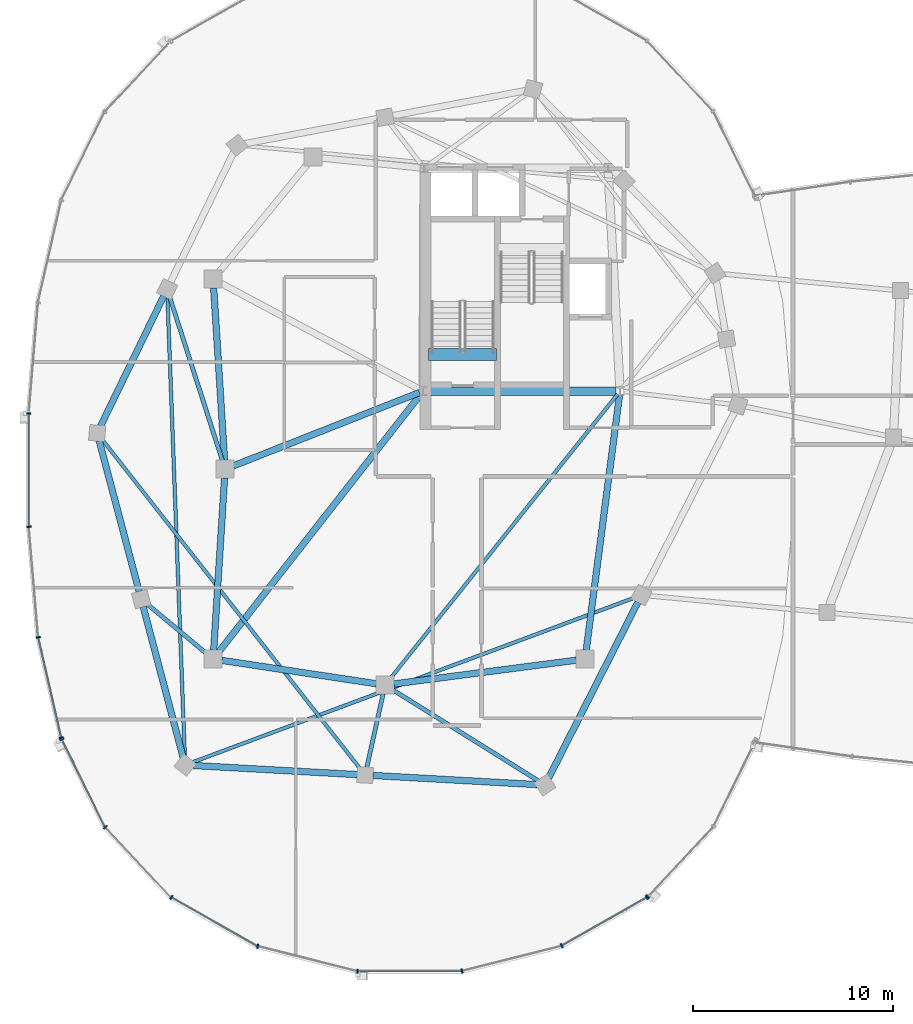
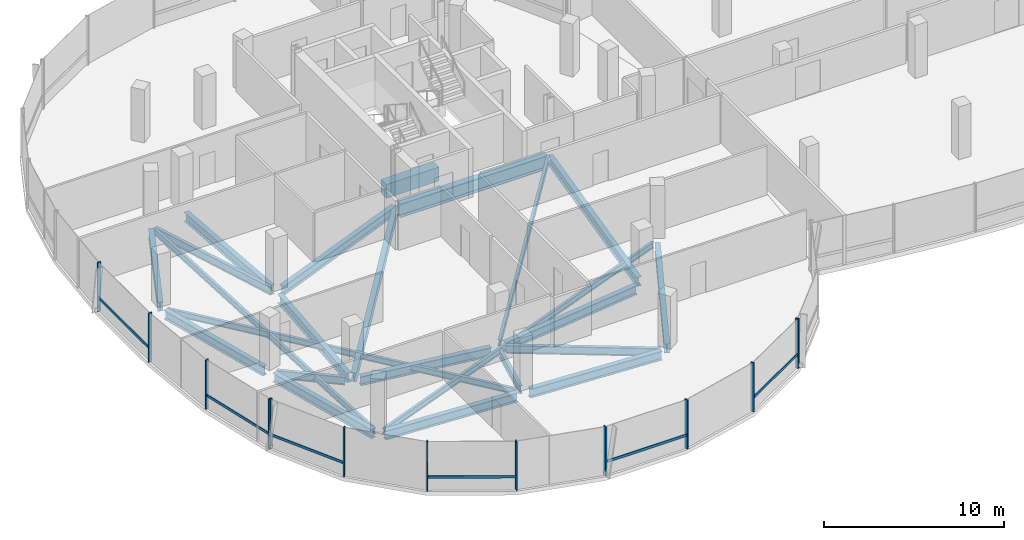
# One storey, part 3 of 25: 23 beams, 19 members, 3 elements without a shape of their own.
"""IFC4 building model written with IfcOpenShell, lengths in metres."""

import ifcopenshell
import ifcopenshell.guid

model = None  # the IFC model being written
_history = None  # IfcOwnerHistory: only IFC2X3 demands one
_inside = {}  # id of a spatial element -> (the spatial element, [elements in it])
_under = {}  # id of a project, library or spatial element -> (it, [spatial elements below it])
_declared = {}  # id of a project -> (the project, [libraries it declares])
_typed = {}  # id of a type object -> (the type object, [elements of that type])
_made_of = {}  # id of a material, layer set ... -> (it, [elements and type objects made of it])


def new_model(schema):
    """Start an empty IFC model of exactly this schema.

    Asked for "IFC4X3", IfcOpenShell would pick the latest addendum, in which some entities
    have other attributes; the version numbers below select the first issue.
    IFC2X3 requires an IfcOwnerHistory on every rooted entity: one is made here for all.
    """
    global model, _history
    if schema == "IFC4X3":
        model = ifcopenshell.file(schema_version=(4, 3, 0, 0))
    else:
        model = ifcopenshell.file(schema=schema)
    _inside.clear()
    _under.clear()
    _declared.clear()
    _typed.clear()
    _made_of.clear()
    _history = None
    if model.schema == "IFC2X3":
        org = make("IfcOrganization", Name="unknown")
        user = make(
            "IfcPersonAndOrganization",
            ThePerson=make("IfcPerson", FamilyName="unknown"),
            TheOrganization=org,
        )
        app = make(
            "IfcApplication",
            ApplicationDeveloper=org,
            Version="unknown",
            ApplicationFullName="unknown",
            ApplicationIdentifier="unknown",
        )
        _history = make(
            "IfcOwnerHistory",
            OwningUser=user,
            OwningApplication=app,
            ChangeAction="ADDED",
            CreationDate=0,
        )
    return model


def make(cls, **values):
    """One entity of the class cls with the attributes given. An attribute that is None is left unset."""
    return model.create_entity(
        cls, **{name: value for name, value in values.items() if value is not None}
    )


def rooted(cls, **values):
    """An entity with a GlobalId (a new one), such as an element, a storey or a relation."""
    return make(cls, GlobalId=ifcopenshell.guid.new(), OwnerHistory=_history, **values)


def si_unit(unit_type, name, prefix=None):
    """IfcSIUnit, for example si_unit("LENGTHUNIT", "METRE", prefix="MILLI")."""
    return make("IfcSIUnit", UnitType=unit_type, Prefix=prefix, Name=name)


def assignment(units):
    """IfcUnitAssignment: the units of a project."""
    return None if units is None else make("IfcUnitAssignment", Units=units)


def point(xyz):
    """IfcCartesianPoint."""
    return None if xyz is None else make("IfcCartesianPoint", Coordinates=xyz)


def direction(xyz):
    """IfcDirection."""
    return None if xyz is None else make("IfcDirection", DirectionRatios=xyz)


def frame(location, z_axis=None, x_axis=None):
    """IfcAxis2Placement3D, a coordinate frame: its origin and axes. An axis left out is left unset."""
    return make(
        "IfcAxis2Placement3D",
        Location=point(location),
        Axis=direction(z_axis),
        RefDirection=direction(x_axis),
    )


def frame_2d(location, x_axis=None):
    """IfcAxis2Placement2D, a coordinate frame in the plane: its origin and x axis."""
    return make(
        "IfcAxis2Placement2D", Location=point(location), RefDirection=direction(x_axis)
    )


def origin():
    """The frame at (0, 0, 0) with its axes left unset."""
    return frame((0.0, 0.0, 0.0))


def origin_2d():
    """The frame at (0, 0) in the plane with its x axis left unset."""
    return frame_2d((0.0, 0.0))


def place(relative_to, where):
    """IfcLocalPlacement: puts the frame where relative to a parent placement (None: the world)."""
    return make(
        "IfcLocalPlacement", PlacementRelTo=relative_to, RelativePlacement=where
    )


def context(
    kind, dimensions, precision=None, world=None, true_north=None, identifier=None
):
    """IfcGeometricRepresentationContext, for example the 3D "Model" context."""
    return make(
        "IfcGeometricRepresentationContext",
        ContextIdentifier=identifier,
        ContextType=kind,
        CoordinateSpaceDimension=dimensions,
        Precision=precision,
        WorldCoordinateSystem=world,
        TrueNorth=true_north,
    )


def subcontext(parent, identifier, kind, view, scale=None):
    """IfcGeometricRepresentationSubContext, for example "Body" below "Model"."""
    return make(
        "IfcGeometricRepresentationSubContext",
        ContextIdentifier=identifier,
        ContextType=kind,
        ParentContext=parent,
        TargetScale=scale,
        TargetView=view,
    )


def project(units=None, contexts=None):
    """IfcProject with its units and contexts."""
    return rooted(
        "IfcProject",
        Name="project",
        RepresentationContexts=contexts,
        UnitsInContext=assignment(units),
    )


def spatial(cls, under=None, at=None, **own):
    """A site, building, storey or space (cls), placed at a placement, below another one or the project."""
    s = rooted(cls, ObjectPlacement=at, **own)
    if under is not None:
        _under.setdefault(under.id(), (under, []))[1].append(s)
    return s


def profile(cls, at=None, kind="AREA", **sizes):
    """A parametric profile (cls). Its sizes go by their IFC names, for example OverallWidth=200.0."""
    return make(cls, ProfileType=kind, Position=at, **sizes)


def rectangle(**sizes):
    """IfcRectangleProfileDef."""
    return profile("IfcRectangleProfileDef", **sizes)


def i_section(**sizes):
    """IfcIShapeProfileDef."""
    return profile("IfcIShapeProfileDef", **sizes)


def extrude(swept, where, along, depth):
    """IfcExtrudedAreaSolid: the profile swept, set in the frame where, extruded along a direction by depth."""
    return make(
        "IfcExtrudedAreaSolid",
        SweptArea=swept,
        Position=where,
        ExtrudedDirection=direction(along),
        Depth=depth,
    )


def shape(context_of_items, identifier, shape_type, items):
    """IfcShapeRepresentation: the items that make up one representation, for example the "Body"."""
    return make(
        "IfcShapeRepresentation",
        ContextOfItems=context_of_items,
        RepresentationIdentifier=identifier,
        RepresentationType=shape_type,
        Items=items,
    )


def material(Name=None, Category=None):
    """IfcMaterial."""
    return make("IfcMaterial", Name=Name, Category=Category)


def material_profile(
    of_material, cross_section, Name=None, Category=None, Priority=None
):
    """IfcMaterialProfile: a cross section and its material."""
    return make(
        "IfcMaterialProfile",
        Name=Name,
        Material=of_material,
        Profile=cross_section,
        Priority=Priority,
        Category=Category,
    )


def profile_set(profiles, Name=None, composite=None):
    """IfcMaterialProfileSet."""
    return make(
        "IfcMaterialProfileSet",
        Name=Name,
        MaterialProfiles=profiles,
        CompositeProfile=composite,
    )


def made_of(thing, what):
    """Note that an element or type object is made of a material, layer set ...; save() writes the relation."""
    if what is not None:
        _made_of.setdefault(what.id(), (what, []))[1].append(thing)
    return thing


def type_object(cls, material=None, **own):
    """A type object (cls), such as IfcWallType, which elements share."""
    return made_of(rooted(cls, **own), material)


def element(
    cls,
    number,
    at=None,
    inside=None,
    cuts=None,
    type_object=None,
    material=None,
    context=None,
    identifier="Body",
    shape_type=None,
    held_by="IfcProductDefinitionShape",
    body=None,
    shapes=None,
    **own,
):
    """One element of the class cls, such as IfcWall. Its Tag is "e" and its number.

    at: its placement. inside: the storey or other place that contains it. cuts: it is an
    opening in that element (IfcRelVoidsElement). A single representation is given by context,
    identifier, shape_type and body (its items); several are given by shapes. held_by: the class
    of the entity that holds the representations. save() writes the other relations.
    """
    e = rooted(cls, Tag="e%d" % number, ObjectPlacement=at, **own)
    if body is not None:
        shapes = [shape(context, identifier, shape_type, body)]
    if shapes is not None:
        e.Representation = make(held_by, Representations=shapes)
    if inside is not None:
        _inside.setdefault(inside.id(), (inside, []))[1].append(e)
    if cuts is not None:
        rooted(
            "IfcRelVoidsElement", RelatingBuildingElement=cuts, RelatedOpeningElement=e
        )
    if type_object is not None:
        _typed.setdefault(type_object.id(), (type_object, []))[1].append(e)
    return made_of(e, material)


def aggregate(whole, parts):
    """IfcRelAggregates: a whole, such as a stair, and the parts it consists of."""
    return rooted("IfcRelAggregates", RelatingObject=whole, RelatedObjects=parts)


def save(model, path):
    """Write the relations noted so far, then the file.

    IfcRelAggregates (storeys below a building ...), IfcRelContainedInSpatialStructure (elements
    in a storey), IfcRelDefinesByType, IfcRelAssociatesMaterial and IfcRelDeclares: one each for
    every whole, place, type object, material and project.
    """
    for whole, parts in _under.values():
        aggregate(whole, parts)
    for where, things in _inside.values():
        rooted(
            "IfcRelContainedInSpatialStructure",
            RelatedElements=things,
            RelatingStructure=where,
        )
    for kind, things in _typed.values():
        rooted("IfcRelDefinesByType", RelatedObjects=things, RelatingType=kind)
    for what, things in _made_of.values():
        rooted("IfcRelAssociatesMaterial", RelatedObjects=things, RelatingMaterial=what)
    for by, libraries in _declared.values():
        rooted("IfcRelDeclares", RelatingContext=by, RelatedDefinitions=libraries)
    model.write(path)


model = new_model("IFC4")

# Units and contexts
model_context = context("Model", 3, precision=1e-05, world=origin(), true_north=direction((0.0, 1.0)))
body_context = subcontext(model_context, "Body", "Model", "MODEL_VIEW")
ifc_project = project(units=[si_unit("LENGTHUNIT", "METRE"), si_unit("AREAUNIT", "SQUARE_METRE"), si_unit("VOLUMEUNIT", "CUBIC_METRE"), si_unit("PLANEANGLEUNIT", "RADIAN"), si_unit("MASSUNIT", "GRAM", prefix="KILO"), si_unit("THERMODYNAMICTEMPERATUREUNIT", "KELVIN"), si_unit("POWERUNIT", "WATT")], contexts=[model_context])

# Site, building, storey
site_placement = place(None, origin())
site = spatial("IfcSite", under=ifc_project, at=site_placement, CompositionType="ELEMENT")
building_placement = place(site_placement, origin())
building = spatial("IfcBuilding", under=site, at=building_placement, Name="Cundina Bronze Exchange", CompositionType="ELEMENT")
storey_placement = place(building_placement, frame((0.0, 0.0, 246.800048828125)))
storey = spatial("IfcBuildingStorey", under=building, at=storey_placement, Name="L65", CompositionType="ELEMENT", Elevation=246.800048828125)

# Beams
ifc_material_1 = material(Name="Concrete C60/75", Category="concrete")
ifc_material_profile_1 = material_profile(ifc_material_1, rectangle(XDim=0.60009765625, YDim=0.949951171875, at=origin_2d()), Name="RC600X950", Category="concrete")
ifc_profile_set_1 = profile_set([ifc_material_profile_1], Name="Concrete C60/75")
beam_type_1 = type_object("IfcBeamType", Name="BM-COUP-RC950", PredefinedType="LINTEL", material=ifc_profile_set_1)
beam_1_placement = place(storey_placement, frame((-31.02001953125, 5.719970703125, -0.47509765625), z_axis=(1.0, 0.0, 0.0), x_axis=(0.0, 1.0, 0.0)))
element("IfcBeam", 1, at=beam_1_placement, inside=storey, type_object=beam_type_1, Name="L65 Stair W1 Landing Header Beam", PredefinedType="LINTEL", context=body_context, shape_type="SweptSolid", body=[
    extrude(rectangle(XDim=0.60009765625, YDim=0.949951171875, at=origin_2d()), origin(), (0.0, 0.0, 1.0), 3.39990234375),
])
ifc_material_2 = material(Name="Steel ASTM A992 Grade 50", Category="steel")
ifc_material_profile_2 = material_profile(ifc_material_2, i_section(OverallWidth=0.2119140625, OverallDepth=0.5439453125, WebThickness=0.01318359375, FlangeThickness=0.021240234375, FilletRadius=0.013916015625, at=origin_2d()), Name="W21X83", Category="steel")
ifc_profile_set_2 = profile_set([ifc_material_profile_2], Name="Steel ASTM A992 Grade 50")
beam_type_2 = type_object("IfcBeamType", Name="BM-FLR-W21A", PredefinedType="BEAM", material=ifc_profile_set_2)
beam_2_placement = place(storey_placement, frame((-41.334228515625, 0.4169921875, -0.531982421875), z_axis=(-0.306706012964, 0.951804297958, 0.0), x_axis=(-0.951804297958, -0.306706012964, 0.0)))
element("IfcBeam", 2, at=beam_2_placement, inside=storey, type_object=beam_type_2, Name="L65 Leg W Radial Floor Beam 07", PredefinedType="BEAM", context=body_context, shape_type="SweptSolid", body=[
    extrude(i_section(OverallWidth=0.2119140625, OverallDepth=0.5439453125, WebThickness=0.01318359375, FlangeThickness=0.021240234375, FilletRadius=0.013916015625, at=origin_2d()), origin(), (0.0, 0.0, 1.0), 8.629638671875),
])
beam_3_placement = place(storey_placement, frame((-42.136474609375, -9.219482421875, -0.531982421875), z_axis=(-0.768210910963, 0.640196841821, 0.0), x_axis=(-0.640196841821, -0.768210910963, 0.0)))
element("IfcBeam", 3, at=beam_3_placement, inside=storey, type_object=beam_type_2, Name="L65 Leg W Radial Floor Beam 09", PredefinedType="BEAM", context=body_context, shape_type="SweptSolid", body=[
    extrude(i_section(OverallWidth=0.2119140625, OverallDepth=0.5439453125, WebThickness=0.01318359375, FlangeThickness=0.021240234375, FilletRadius=0.013916015625, at=origin_2d()), origin(), (0.0, 0.0, 1.0), 3.860107421875),
])
beam_4_placement = place(storey_placement, frame((-33.294921875, -11.2275390625, -0.531982421875), z_axis=(-0.216930457819, -0.976187060184, 0.0), x_axis=(0.976187060184, -0.216930457819, 0.0)))
element("IfcBeam", 4, at=beam_4_placement, inside=storey, type_object=beam_type_2, Name="L65 Leg W Radial Floor Beam 11", PredefinedType="BEAM", context=body_context, shape_type="SweptSolid", body=[
    extrude(i_section(OverallWidth=0.2119140625, OverallDepth=0.5439453125, WebThickness=0.01318359375, FlangeThickness=0.021240234375, FilletRadius=0.013916015625, at=origin_2d()), origin(), (0.0, 0.0, 1.0), 3.78369140625),
])
beam_5_placement = place(storey_placement, frame((-32.82861328125, -11.031982421875, -0.531982421875), z_axis=(0.847983963552, -0.530021884038, 0.0), x_axis=(0.530021884038, 0.847983963552, 0.0)))
element("IfcBeam", 5, at=beam_5_placement, inside=storey, type_object=beam_type_2, Name="L65 Leg W Radial Floor Beam 12", PredefinedType="BEAM", context=body_context, shape_type="SweptSolid", body=[
    extrude(i_section(OverallWidth=0.2119140625, OverallDepth=0.5439453125, WebThickness=0.01318359375, FlangeThickness=0.021240234375, FilletRadius=0.013916015625, at=origin_2d()), origin(), (0.0, 0.0, 1.0), 8.608154296875),
])
ifc_material_profile_3 = material_profile(ifc_material_2, i_section(OverallWidth=0.178955078125, OverallDepth=0.409912109375, WebThickness=0.0087890625, FlangeThickness=0.014404296875, FilletRadius=0.010986328125, at=origin_2d()), Name="W16X45", Category="steel")
ifc_profile_set_3 = profile_set([ifc_material_profile_3], Name="Steel ASTM A992 Grade 50")
beam_type_3 = type_object("IfcBeamType", Name="BM-JST-W16", PredefinedType="JOIST", material=ifc_profile_set_3)
beam_6_placement = place(storey_placement, frame((-21.572509765625, 3.746826171875, -0.465087890625), z_axis=(-0.624364266872, -0.781133319129, 0.0), x_axis=(0.781133319129, -0.624364266872, 0.0)))
element("IfcBeam", 6, at=beam_6_placement, inside=storey, type_object=beam_type_3, Name="L65 W Interior Core-to-Ring Joist 2", PredefinedType="JOIST", context=body_context, shape_type="SweptSolid", body=[
    extrude(i_section(OverallWidth=0.178955078125, OverallDepth=0.409912109375, WebThickness=0.0087890625, FlangeThickness=0.014404296875, FilletRadius=0.010986328125, at=origin_2d()), origin(), (0.0, 0.0, 1.0), 18.184814453125),
])
beam_7_placement = place(storey_placement, frame((-44.085205078125, 8.6123046875, -0.465087890625), z_axis=(0.037784872152, -0.999285896746, 0.0), x_axis=(0.999285896746, 0.037784872152, 0.0)))
element("IfcBeam", 7, at=beam_7_placement, inside=storey, type_object=beam_type_3, Name="L65 Leg W Lobe Floor Joist 07-10", PredefinedType="JOIST", context=body_context, shape_type="SweptSolid", body=[
    extrude(i_section(OverallWidth=0.178955078125, OverallDepth=0.409912109375, WebThickness=0.0087890625, FlangeThickness=0.014404296875, FilletRadius=0.010986328125, at=origin_2d()), origin(), (0.0, 0.0, 1.0), 23.041015625),
])
beam_8_placement = place(storey_placement, frame((-47.360595703125, 1.49462890625, -0.465087890625), z_axis=(0.616804005008, -0.78711677622, 0.0), x_axis=(0.78711677622, 0.616804005008, 0.0)))
element("IfcBeam", 8, at=beam_8_placement, inside=storey, type_object=beam_type_3, Name="L65 Leg W Lobe Floor Joist 08-11", PredefinedType="JOIST", context=body_context, shape_type="SweptSolid", body=[
    extrude(i_section(OverallWidth=0.178955078125, OverallDepth=0.409912109375, WebThickness=0.0087890625, FlangeThickness=0.014404296875, FilletRadius=0.010986328125, at=origin_2d()), origin(), (0.0, 0.0, 1.0), 20.948974609375),
])
beam_9_placement = place(storey_placement, frame((-42.83642578125, -14.66455078125, -0.465087890625), z_axis=(0.937127932085, 0.348986015344, 0.0), x_axis=(-0.348986015344, 0.937127932085, 0.0)))
element("IfcBeam", 9, at=beam_9_placement, inside=storey, type_object=beam_type_3, Name="L65 Leg W Lobe Floor Joist 10-13", PredefinedType="JOIST", context=body_context, shape_type="SweptSolid", body=[
    extrude(i_section(OverallWidth=0.178955078125, OverallDepth=0.409912109375, WebThickness=0.0087890625, FlangeThickness=0.014404296875, FilletRadius=0.010986328125, at=origin_2d()), origin(), (0.0, 0.0, 1.0), 23.58056640625),
])
ifc_material_profile_4 = material_profile(ifc_material_2, i_section(OverallWidth=0.324951171875, OverallDepth=0.615966796875, WebThickness=0.013916015625, FlangeThickness=0.021484375, FilletRadius=0.01611328125, at=origin_2d()), Name="W24X117", Category="steel")
ifc_profile_set_4 = profile_set([ifc_material_profile_4], Name="Steel ASTM A992 Grade 50")
beam_type_4 = type_object("IfcBeamType", Name="BM-RING-W24", PredefinedType="USERDEFINED", material=ifc_profile_set_4)
for number, where, z_axis, x_axis, name in (
    (10, (-41.7724609375, 9.06298828125, -0.568115234375), (0.063046519736, -0.998010589297, 0.0), (0.998010589297, 0.063046519736, 0.0), "L65 W Inner Structural Ring Girder 03"),
    (11, (-41.2275390625, -0.43701171875, -0.568115234375), (-0.063046519736, -0.998010589297, 0.0), (0.998010589297, -0.063046519736, 0.0), "L65 W Inner Structural Ring Girder 04"),
):
    element("IfcBeam", number, at=place(storey_placement, frame(where, z_axis=z_axis, x_axis=x_axis)), inside=storey, type_object=beam_type_4, Name=name, ObjectType="GIRDER", PredefinedType="USERDEFINED", context=body_context, shape_type="SweptSolid", body=[
        extrude(i_section(OverallWidth=0.324951171875, OverallDepth=0.615966796875, WebThickness=0.013916015625, FlangeThickness=0.021484375, FilletRadius=0.01611328125, at=origin_2d()), origin(), (0.0, 0.0, 1.0), 8.64306640625),
    ])
beam_10_placement = place(storey_placement, frame((-41.366943359375, -9.5654296875, -0.568115234375), z_axis=(0.988764903598, -0.149478979839, 0.0), x_axis=(0.149478979839, 0.988764903598, 0.0)))
element("IfcBeam", 12, at=beam_10_placement, inside=storey, type_object=beam_type_4, Name="L65 W Inner Structural Ring Girder 05", ObjectType="GIRDER", PredefinedType="USERDEFINED", context=body_context, shape_type="SweptSolid", body=[
    extrude(i_section(OverallWidth=0.324951171875, OverallDepth=0.615966796875, WebThickness=0.013916015625, FlangeThickness=0.021484375, FilletRadius=0.01611328125, at=origin_2d()), origin(), (0.0, 0.0, 1.0), 7.82177734375),
])
beam_11_placement = place(storey_placement, frame((-32.765625, -10.743408203125, -0.568115234375), z_axis=(0.991656498582, 0.128908451316, 0.0), x_axis=(-0.128908451316, 0.991656498582, 0.0)))
element("IfcBeam", 13, at=beam_11_placement, inside=storey, type_object=beam_type_4, Name="L65 W Inner Structural Ring Girder 06", ObjectType="GIRDER", PredefinedType="USERDEFINED", context=body_context, shape_type="SweptSolid", body=[
    extrude(i_section(OverallWidth=0.324951171875, OverallDepth=0.615966796875, WebThickness=0.013916015625, FlangeThickness=0.021484375, FilletRadius=0.01611328125, at=origin_2d()), origin(), (0.0, 0.0, 1.0), 9.208251953125),
])
beam_12_placement = place(storey_placement, frame((-23.143310546875, -9.065673828125, -0.568115234375), z_axis=(0.129501251979, 0.991579258424, 0.0), x_axis=(-0.991579258424, 0.129501251979, 0.0)))
element("IfcBeam", 14, at=beam_12_placement, inside=storey, type_object=beam_type_4, Name="L65 W Inner Structural Ring Girder 07", ObjectType="GIRDER", PredefinedType="USERDEFINED", context=body_context, shape_type="SweptSolid", body=[
    extrude(i_section(OverallWidth=0.324951171875, OverallDepth=0.615966796875, WebThickness=0.013916015625, FlangeThickness=0.021484375, FilletRadius=0.01611328125, at=origin_2d()), origin(), (0.0, 0.0, 1.0), 12.8798828125),
])
beam_13_placement = place(storey_placement, frame((-31.482421875, 3.828125, -0.568115234375), z_axis=(-0.930404106569, -0.366535398673, 0.0), x_axis=(0.366535398673, -0.930404106569, 0.0)))
element("IfcBeam", 15, at=beam_13_placement, inside=storey, type_object=beam_type_4, Name="L65 W Core-to-Waist Tie Beam 1", ObjectType="GIRDER", PredefinedType="USERDEFINED", context=body_context, shape_type="SweptSolid", body=[
    extrude(i_section(OverallWidth=0.324951171875, OverallDepth=0.615966796875, WebThickness=0.013916015625, FlangeThickness=0.021484375, FilletRadius=0.01611328125, at=origin_2d()), origin(), (0.0, 0.0, 1.0), 10.00634765625),
])
beam_14_placement = place(storey_placement, frame((-31.4208984375, 3.74560546875, -0.568115234375), z_axis=(-0.616782900053, -0.787133314123, 0.0), x_axis=(0.787133314123, -0.616782900053, 0.0)))
element("IfcBeam", 16, at=beam_14_placement, inside=storey, type_object=beam_type_4, Name="L65 W Core-to-Waist Tie Beam 3", ObjectType="GIRDER", PredefinedType="USERDEFINED", context=body_context, shape_type="SweptSolid", body=[
    extrude(i_section(OverallWidth=0.324951171875, OverallDepth=0.615966796875, WebThickness=0.013916015625, FlangeThickness=0.021484375, FilletRadius=0.01611328125, at=origin_2d()), origin(), (0.0, 0.0, 1.0), 16.3896484375),
])
beam_15_placement = place(storey_placement, frame((-44.26953125, 8.65087890625, -0.568115234375), z_axis=(-0.437216986791, -0.899356050995, 0.0), x_axis=(0.899356050995, -0.437216986791, 0.0)))
element("IfcBeam", 17, at=beam_15_placement, inside=storey, type_object=beam_type_4, Name="L65 W Perimeter Ring Girder 07", ObjectType="GIRDER", PredefinedType="USERDEFINED", context=body_context, shape_type="SweptSolid", body=[
    extrude(i_section(OverallWidth=0.324951171875, OverallDepth=0.615966796875, WebThickness=0.013916015625, FlangeThickness=0.021484375, FilletRadius=0.01611328125, at=origin_2d()), origin(), (0.0, 0.0, 1.0), 7.2294921875),
])
for number, where, z_axis, x_axis, name in (
    (18, (-47.50048828125, 1.425048828125, -0.568115234375), (0.256183793797, -0.966628089699, 0.0), (0.966628089699, 0.256183793797, 0.0), "L65 W Perimeter Ring Girder 08"),
    (19, (-45.300537109375, -6.875, -0.568115234375), (0.256212999207, -0.966620348967, 0.0), (0.966620348967, 0.256212999207, 0.0), "L65 W Perimeter Ring Girder 09"),
):
    element("IfcBeam", number, at=place(storey_placement, frame(where, z_axis=z_axis, x_axis=x_axis)), inside=storey, type_object=beam_type_4, Name=name, ObjectType="GIRDER", PredefinedType="USERDEFINED", context=body_context, shape_type="SweptSolid", body=[
        extrude(i_section(OverallWidth=0.324951171875, OverallDepth=0.615966796875, WebThickness=0.013916015625, FlangeThickness=0.021484375, FilletRadius=0.01611328125, at=origin_2d()), origin(), (0.0, 0.0, 1.0), 7.810791015625),
    ])
for number, where, z_axis, x_axis, name in (
    (20, (-42.8125, -14.821533203125, -0.568115234375), (0.998459806018, -0.055479868117, 0.0), (0.055479868117, 0.998459806018, 0.0), "L65 W Perimeter Ring Girder 10"),
    (21, (-33.8125, -15.321533203125, -0.568115234375), (0.998459806018, -0.055479868117, 0.0), (0.055479868117, 0.998459806018, 0.0), "L65 W Perimeter Ring Girder 11"),
):
    element("IfcBeam", number, at=place(storey_placement, frame(where, z_axis=z_axis, x_axis=x_axis)), inside=storey, type_object=beam_type_4, Name=name, ObjectType="GIRDER", PredefinedType="USERDEFINED", context=body_context, shape_type="SweptSolid", body=[
        extrude(i_section(OverallWidth=0.324951171875, OverallDepth=0.615966796875, WebThickness=0.013916015625, FlangeThickness=0.021484375, FilletRadius=0.01611328125, at=origin_2d()), origin(), (0.0, 0.0, 1.0), 8.23779296875),
    ])
beam_16_placement = place(storey_placement, frame((-25.0244140625, -15.4541015625, -0.568115234375), z_axis=(0.452839263805, 0.891592171991, 0.0), x_axis=(-0.891592171991, 0.452839263805, 0.0)))
element("IfcBeam", 22, at=beam_16_placement, inside=storey, type_object=beam_type_4, Name="L65 W Perimeter Ring Girder 12", ObjectType="GIRDER", PredefinedType="USERDEFINED", context=body_context, shape_type="SweptSolid", body=[
    extrude(i_section(OverallWidth=0.324951171875, OverallDepth=0.615966796875, WebThickness=0.013916015625, FlangeThickness=0.021484375, FilletRadius=0.01611328125, at=origin_2d()), origin(), (0.0, 0.0, 1.0), 9.879150390625),
])
ifc_material_profile_5 = material_profile(ifc_material_2, i_section(OverallWidth=0.41796875, OverallDepth=0.927001953125, WebThickness=0.019287109375, FlangeThickness=0.031982421875, FilletRadius=0.02392578125, at=origin_2d()), Name="W36X231", Category="steel")
ifc_profile_set_5 = profile_set([ifc_material_profile_5], Name="Steel ASTM A992 Grade 50")
beam_type_5 = type_object("IfcBeamType", Name="BM-WRN-W36B", PredefinedType="USERDEFINED", material=ifc_profile_set_5)
beam_17_placement = place(storey_placement, frame((-31.10400390625, 3.89990234375, -0.7236328125), z_axis=(1.0, 0.0, 0.0), x_axis=(0.0, 1.0, 0.0)))
element("IfcBeam", 23, at=beam_17_placement, inside=storey, type_object=beam_type_5, Name="L65 W Core Perimeter Tie Girder 1", ObjectType="GIRDER", PredefinedType="USERDEFINED", context=body_context, shape_type="SweptSolid", body=[
    extrude(i_section(OverallWidth=0.41796875, OverallDepth=0.927001953125, WebThickness=0.019287109375, FlangeThickness=0.031982421875, FilletRadius=0.02392578125, at=origin_2d()), origin(), (0.0, 0.0, 1.0), 9.4580078125),
])

# Curtain wall, members
ifc_material_3 = material(Name="Anodised Bronze Aluminium 6063-T6", Category="aluminium")
curtain_wall_type = type_object("IfcCurtainWallType", Name="CWS-SKG-BRG", PredefinedType="NOTDEFINED", material=ifc_material_3)
curtain_wall_1_placement = place(storey_placement, origin())
curtain_wall_1 = element("IfcCurtainWall", 24, at=curtain_wall_1_placement, inside=storey, type_object=curtain_wall_type, Name="L65 CW-06 Curtain Wall Run CWR-L65-W2", PredefinedType="NOTDEFINED")
ifc_material_profile_6 = material_profile(ifc_material_3, rectangle(XDim=0.074951171875, YDim=0.219970703125, at=origin_2d()), Name="AL75X220", Category="aluminium")
ifc_profile_set_6 = profile_set([ifc_material_profile_6], Name="Anodised Bronze Aluminium 6063-T6")
member_type_1 = type_object("IfcMemberType", Name="CWM-MUL-220", PredefinedType="MULLION", material=ifc_profile_set_6)
member_1_placement = place(storey_placement, frame((-51.01904296875, 2.79150390625, 0.0), z_axis=(0.0, 0.0, 1.0), x_axis=(0.0, -1.0, 0.0)))
member_1 = element("IfcMember", 25, at=member_1_placement, type_object=member_type_1, Name="CW-06 Mullion 5", PredefinedType="MULLION", context=body_context, shape_type="SweptSolid", body=[
    extrude(rectangle(XDim=0.074951171875, YDim=0.219970703125, at=origin_2d()), origin(), (0.0, 0.0, 1.0), 3.33984375),
])
member_2_placement = place(storey_placement, frame((-51.01513671875, -2.885498046875, 0.0), z_axis=(0.0, 0.0, 1.0), x_axis=(0.083677843332, -0.99649285925, 0.0)))
member_2 = element("IfcMember", 26, at=member_2_placement, type_object=member_type_1, Name="CW-06 Mullion 6", PredefinedType="MULLION", context=body_context, shape_type="SweptSolid", body=[
    extrude(rectangle(XDim=0.074951171875, YDim=0.219970703125, at=origin_2d()), origin(), (0.0, 0.0, 1.0), 3.33984375),
])
member_3_placement = place(storey_placement, frame((-50.544677734375, -8.4111328125, 0.0), z_axis=(0.0, 0.0, 1.0), x_axis=(0.223250116011, -0.974761194191, 0.0)))
member_3 = element("IfcMember", 27, at=member_3_placement, type_object=member_type_1, Name="CW-06 Mullion 7", PredefinedType="MULLION", context=body_context, shape_type="SweptSolid", body=[
    extrude(rectangle(XDim=0.074951171875, YDim=0.219970703125, at=origin_2d()), origin(), (0.0, 0.0, 1.0), 3.33984375),
])
member_4_placement = place(storey_placement, frame((-49.39404296875, -13.433837890625, 0.0), z_axis=(0.0, 0.0, 1.0), x_axis=(0.223250116011, -0.974761194191, 0.0)))
member_4 = element("IfcMember", 28, at=member_4_placement, type_object=member_type_1, Name="CW-06 End Mullion", PredefinedType="MULLION", context=body_context, shape_type="SweptSolid", body=[
    extrude(rectangle(XDim=0.074951171875, YDim=0.219970703125, at=origin_2d()), origin(), (0.0, 0.0, 1.0), 3.33984375),
])

curtain_wall_2_placement = place(storey_placement, origin())
curtain_wall_2 = element("IfcCurtainWall", 29, at=curtain_wall_2_placement, inside=storey, type_object=curtain_wall_type, Name="L65 CW-06 Curtain Wall Run CWR-L65-W3", PredefinedType="NOTDEFINED")
member_5_placement = place(storey_placement, frame((-49.369140625, -13.50390625, 0.0), z_axis=(0.0, 0.0, 1.0), x_axis=(0.440566004113, -0.897720221461, 0.0)))
member_5 = element("IfcMember", 30, at=member_5_placement, type_object=member_type_1, Name="CW-06 Mullion 1", PredefinedType="MULLION", context=body_context, shape_type="SweptSolid", body=[
    extrude(rectangle(XDim=0.074951171875, YDim=0.219970703125, at=origin_2d()), origin(), (0.0, 0.0, 1.0), 3.33984375),
])
member_6_placement = place(storey_placement, frame((-47.1962890625, -17.910400390625, 0.0), z_axis=(0.0, 0.0, 1.0), x_axis=(0.684292606175, -0.729207535023, 0.0)))
member_6 = element("IfcMember", 31, at=member_6_placement, type_object=member_type_1, Name="CW-06 Mullion 2", PredefinedType="MULLION", context=body_context, shape_type="SweptSolid", body=[
    extrude(rectangle(XDim=0.074951171875, YDim=0.219970703125, at=origin_2d()), origin(), (0.0, 0.0, 1.0), 3.33984375),
])
member_7_placement = place(storey_placement, frame((-43.88916015625, -21.419921875, 0.0), z_axis=(0.0, 0.0, 1.0), x_axis=(0.86958112538, -0.493790103568, 0.0)))
member_7 = element("IfcMember", 32, at=member_7_placement, type_object=member_type_1, Name="CW-06 Mullion 3", PredefinedType="MULLION", context=body_context, shape_type="SweptSolid", body=[
    extrude(rectangle(XDim=0.074951171875, YDim=0.219970703125, at=origin_2d()), origin(), (0.0, 0.0, 1.0), 3.33984375),
])
member_8_placement = place(storey_placement, frame((-39.5703125, -23.86181640625, 0.0), z_axis=(0.0, 0.0, 1.0), x_axis=(0.969744325821, -0.244122802168, 0.0)))
member_8 = element("IfcMember", 33, at=member_8_placement, type_object=member_type_1, Name="CW-06 Mullion 4", PredefinedType="MULLION", context=body_context, shape_type="SweptSolid", body=[
    extrude(rectangle(XDim=0.074951171875, YDim=0.219970703125, at=origin_2d()), origin(), (0.0, 0.0, 1.0), 3.33984375),
])
member_9_placement = place(storey_placement, frame((-34.576416015625, -25.110107421875, 0.0), z_axis=(0.0, 0.0, 1.0), x_axis=(1.0, 0.0, 0.0)))
member_9 = element("IfcMember", 34, at=member_9_placement, type_object=member_type_1, Name="CW-06 Mullion 5", PredefinedType="MULLION", context=body_context, shape_type="SweptSolid", body=[
    extrude(rectangle(XDim=0.074951171875, YDim=0.219970703125, at=origin_2d()), origin(), (0.0, 0.0, 1.0), 3.33984375),
])
member_10_placement = place(storey_placement, frame((-29.351806640625, -25.10107421875, 0.0), z_axis=(0.0, 0.0, 1.0), x_axis=(0.969744325821, 0.244122802168, 0.0)))
member_10 = element("IfcMember", 35, at=member_10_placement, type_object=member_type_1, Name="CW-06 Mullion 6", PredefinedType="MULLION", context=body_context, shape_type="SweptSolid", body=[
    extrude(rectangle(XDim=0.074951171875, YDim=0.219970703125, at=origin_2d()), origin(), (0.0, 0.0, 1.0), 3.33984375),
])
member_11_placement = place(storey_placement, frame((-24.365478515625, -23.8359375, 0.0), z_axis=(0.0, 0.0, 1.0), x_axis=(0.86958112538, 0.493790103568, 0.0)))
member_11 = element("IfcMember", 36, at=member_11_placement, type_object=member_type_1, Name="CW-06 Mullion 7", PredefinedType="MULLION", context=body_context, shape_type="SweptSolid", body=[
    extrude(rectangle(XDim=0.074951171875, YDim=0.219970703125, at=origin_2d()), origin(), (0.0, 0.0, 1.0), 3.33984375),
])
member_12_placement = place(storey_placement, frame((-20.11083984375, -21.419921875, 0.0), z_axis=(0.0, 0.0, 1.0), x_axis=(0.86958112538, 0.493790103568, 0.0)))
member_12 = element("IfcMember", 37, at=member_12_placement, type_object=member_type_1, Name="CW-06 End Mullion", PredefinedType="MULLION", context=body_context, shape_type="SweptSolid", body=[
    extrude(rectangle(XDim=0.074951171875, YDim=0.219970703125, at=origin_2d()), origin(), (0.0, 0.0, 1.0), 3.33984375),
])

# Curtain wall, member
curtain_wall_3_placement = place(storey_placement, origin())
curtain_wall_3 = element("IfcCurtainWall", 38, at=curtain_wall_3_placement, inside=storey, type_object=curtain_wall_type, Name="L65 CW-06 Curtain Wall Run CWR-L65-W4", PredefinedType="NOTDEFINED")
member_13_placement = place(storey_placement, frame((-20.059814453125, -21.3798828125, 0.0), z_axis=(0.0, 0.0, 1.0), x_axis=(0.684292606175, 0.729207535023, 0.0)))
member_13 = element("IfcMember", 39, at=member_13_placement, type_object=member_type_1, Name="CW-06 Mullion 1", PredefinedType="MULLION", context=body_context, shape_type="SweptSolid", body=[
    extrude(rectangle(XDim=0.074951171875, YDim=0.219970703125, at=origin_2d()), origin(), (0.0, 0.0, 1.0), 3.33984375),
])
aggregate(curtain_wall_3, [member_13])

# Member
ifc_material_profile_7 = material_profile(ifc_material_3, rectangle(XDim=0.070068359375, YDim=0.179931640625, at=origin_2d()), Name="AL70X180", Category="aluminium")
ifc_profile_set_7 = profile_set([ifc_material_profile_7], Name="Anodised Bronze Aluminium 6063-T6")
member_type_2 = type_object("IfcMemberType", Name="CWM-TRN-180", PredefinedType="USERDEFINED", material=ifc_profile_set_7)
member_14_placement = place(storey_placement, frame((-51.01904296875, 2.750244140625, 0.919921875), z_axis=(0.0, -1.0, 0.0), x_axis=(1.0, 0.0, 0.0)))
member_14 = element("IfcMember", 40, at=member_14_placement, type_object=member_type_2, Name="CW-06 Spandrel Transom 5", ObjectType="TRANSOM", PredefinedType="USERDEFINED", context=body_context, shape_type="SweptSolid", body=[
    extrude(rectangle(XDim=0.070068359375, YDim=0.179931640625, at=origin_2d()), origin(), (0.0, 0.0, 1.0), 5.5830078125),
])

member_15_placement = place(storey_placement, frame((-50.535400390625, -8.451416015625, 0.919921875), z_axis=(0.223283702293, -0.974753501297, 0.0), x_axis=(0.974753501297, 0.223283702293, 0.0)))
member_15 = element("IfcMember", 41, at=member_15_placement, type_object=member_type_2, Name="CW-06 Spandrel Transom 7", ObjectType="TRANSOM", PredefinedType="USERDEFINED", context=body_context, shape_type="SweptSolid", body=[
    extrude(rectangle(XDim=0.070068359375, YDim=0.179931640625, at=origin_2d()), origin(), (0.0, 0.0, 1.0), 5.070068359375),
])

aggregate(curtain_wall_1, [member_1, member_14, member_2, member_3, member_4, member_15])

member_16_placement = place(storey_placement, frame((-49.35107421875, -13.541015625, 0.919921875), z_axis=(0.440554408939, -0.897725911826, 0.0), x_axis=(0.897725911826, 0.440554408939, 0.0)))
member_16 = element("IfcMember", 42, at=member_16_placement, type_object=member_type_2, Name="CW-06 Spandrel Transom 1", ObjectType="TRANSOM", PredefinedType="USERDEFINED", context=body_context, shape_type="SweptSolid", body=[
    extrude(rectangle(XDim=0.070068359375, YDim=0.179931640625, at=origin_2d()), origin(), (0.0, 0.0, 1.0), 4.848388671875),
])

member_17_placement = place(storey_placement, frame((-43.853271484375, -21.440185546875, 0.919921875), z_axis=(0.869557366176, -0.493831941989, 0.0), x_axis=(0.493831941989, 0.869557366176, 0.0)))
member_17 = element("IfcMember", 43, at=member_17_placement, type_object=member_type_2, Name="CW-06 Spandrel Transom 3", ObjectType="TRANSOM", PredefinedType="USERDEFINED", context=body_context, shape_type="SweptSolid", body=[
    extrude(rectangle(XDim=0.070068359375, YDim=0.179931640625, at=origin_2d()), origin(), (0.0, 0.0, 1.0), 4.892822265625),
])

member_18_placement = place(storey_placement, frame((-34.53515625, -25.110107421875, 0.919921875), z_axis=(1.0, 0.0, 0.0), x_axis=(0.0, 1.0, 0.0)))
member_18 = element("IfcMember", 44, at=member_18_placement, type_object=member_type_2, Name="CW-06 Spandrel Transom 5", ObjectType="TRANSOM", PredefinedType="USERDEFINED", context=body_context, shape_type="SweptSolid", body=[
    extrude(rectangle(XDim=0.070068359375, YDim=0.179931640625, at=origin_2d()), origin(), (0.0, 0.0, 1.0), 5.153076171875),
])

member_19_placement = place(storey_placement, frame((-24.32958984375, -23.815673828125, 0.919921875), z_axis=(0.869558105282, 0.493830640542, 0.0), x_axis=(-0.493830640542, 0.869558105282, 0.0)))
member_19 = element("IfcMember", 45, at=member_19_placement, type_object=member_type_2, Name="CW-06 Spandrel Transom 7", ObjectType="TRANSOM", PredefinedType="USERDEFINED", context=body_context, shape_type="SweptSolid", body=[
    extrude(rectangle(XDim=0.070068359375, YDim=0.179931640625, at=origin_2d()), origin(), (0.0, 0.0, 1.0), 4.810302734375),
])

aggregate(curtain_wall_2, [member_5, member_16, member_6, member_7, member_17, member_8, member_9, member_18, member_10, member_11, member_12, member_19])

save(model, "model.ifc")
